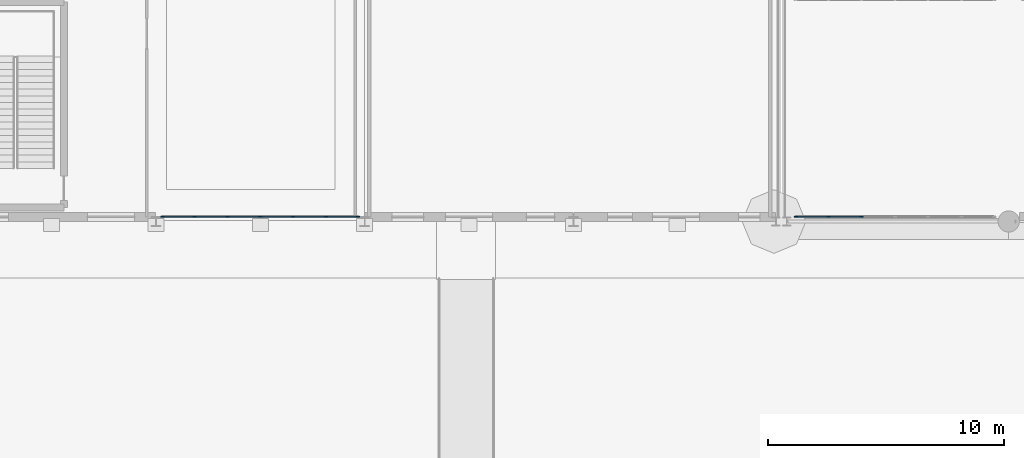
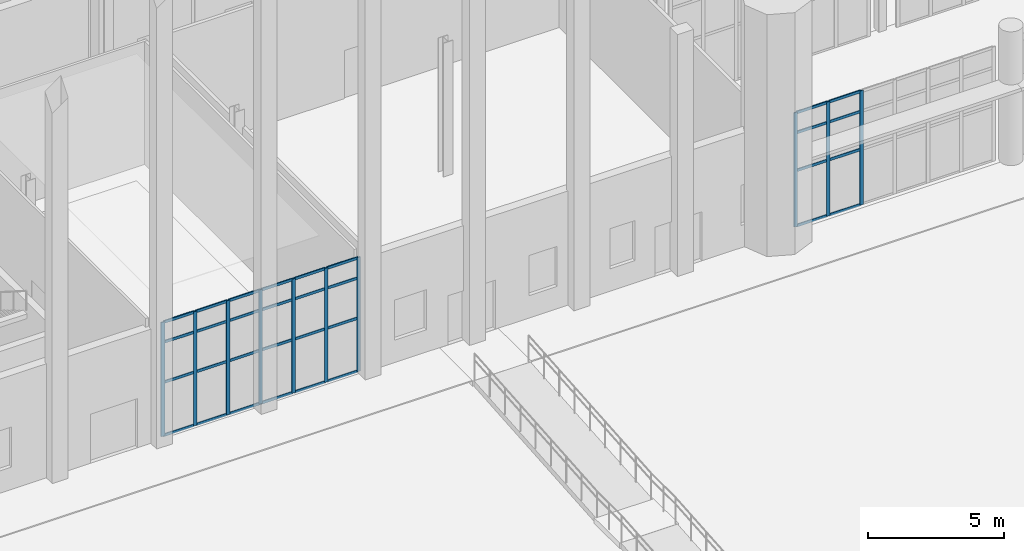
# One storey, part 25 of 139: 42 members, 2 elements without a shape of their own.
"""IFC4 building model written with IfcOpenShell, lengths in metres."""

import ifcopenshell
import ifcopenshell.guid

model = None  # the IFC model being written
_history = None  # IfcOwnerHistory: only IFC2X3 demands one
_inside = {}  # id of a spatial element -> (the spatial element, [elements in it])
_under = {}  # id of a project, library or spatial element -> (it, [spatial elements below it])
_declared = {}  # id of a project -> (the project, [libraries it declares])
_typed = {}  # id of a type object -> (the type object, [elements of that type])
_made_of = {}  # id of a material, layer set ... -> (it, [elements and type objects made of it])


def new_model(schema):
    """Start an empty IFC model of exactly this schema.

    Asked for "IFC4X3", IfcOpenShell would pick the latest addendum, in which some entities
    have other attributes; the version numbers below select the first issue.
    IFC2X3 requires an IfcOwnerHistory on every rooted entity: one is made here for all.
    """
    global model, _history
    if schema == "IFC4X3":
        model = ifcopenshell.file(schema_version=(4, 3, 0, 0))
    else:
        model = ifcopenshell.file(schema=schema)
    _inside.clear()
    _under.clear()
    _declared.clear()
    _typed.clear()
    _made_of.clear()
    _history = None
    if model.schema == "IFC2X3":
        org = make("IfcOrganization", Name="unknown")
        user = make(
            "IfcPersonAndOrganization",
            ThePerson=make("IfcPerson", FamilyName="unknown"),
            TheOrganization=org,
        )
        app = make(
            "IfcApplication",
            ApplicationDeveloper=org,
            Version="unknown",
            ApplicationFullName="unknown",
            ApplicationIdentifier="unknown",
        )
        _history = make(
            "IfcOwnerHistory",
            OwningUser=user,
            OwningApplication=app,
            ChangeAction="ADDED",
            CreationDate=0,
        )
    return model


def make(cls, **values):
    """One entity of the class cls with the attributes given. An attribute that is None is left unset."""
    return model.create_entity(
        cls, **{name: value for name, value in values.items() if value is not None}
    )


def rooted(cls, **values):
    """An entity with a GlobalId (a new one), such as an element, a storey or a relation."""
    return make(cls, GlobalId=ifcopenshell.guid.new(), OwnerHistory=_history, **values)


def si_unit(unit_type, name, prefix=None):
    """IfcSIUnit, for example si_unit("LENGTHUNIT", "METRE", prefix="MILLI")."""
    return make("IfcSIUnit", UnitType=unit_type, Prefix=prefix, Name=name)


def assignment(units):
    """IfcUnitAssignment: the units of a project."""
    return None if units is None else make("IfcUnitAssignment", Units=units)


def point(xyz):
    """IfcCartesianPoint."""
    return None if xyz is None else make("IfcCartesianPoint", Coordinates=xyz)


def direction(xyz):
    """IfcDirection."""
    return None if xyz is None else make("IfcDirection", DirectionRatios=xyz)


def frame(location, z_axis=None, x_axis=None):
    """IfcAxis2Placement3D, a coordinate frame: its origin and axes. An axis left out is left unset."""
    return make(
        "IfcAxis2Placement3D",
        Location=point(location),
        Axis=direction(z_axis),
        RefDirection=direction(x_axis),
    )


def frame_2d(location, x_axis=None):
    """IfcAxis2Placement2D, a coordinate frame in the plane: its origin and x axis."""
    return make(
        "IfcAxis2Placement2D", Location=point(location), RefDirection=direction(x_axis)
    )


def origin():
    """The frame at (0, 0, 0) with its axes left unset."""
    return frame((0.0, 0.0, 0.0))


def origin_2d():
    """The frame at (0, 0) in the plane with its x axis left unset."""
    return frame_2d((0.0, 0.0))


def place(relative_to, where):
    """IfcLocalPlacement: puts the frame where relative to a parent placement (None: the world)."""
    return make(
        "IfcLocalPlacement", PlacementRelTo=relative_to, RelativePlacement=where
    )


def context(
    kind, dimensions, precision=None, world=None, true_north=None, identifier=None
):
    """IfcGeometricRepresentationContext, for example the 3D "Model" context."""
    return make(
        "IfcGeometricRepresentationContext",
        ContextIdentifier=identifier,
        ContextType=kind,
        CoordinateSpaceDimension=dimensions,
        Precision=precision,
        WorldCoordinateSystem=world,
        TrueNorth=true_north,
    )


def subcontext(parent, identifier, kind, view, scale=None):
    """IfcGeometricRepresentationSubContext, for example "Body" below "Model"."""
    return make(
        "IfcGeometricRepresentationSubContext",
        ContextIdentifier=identifier,
        ContextType=kind,
        ParentContext=parent,
        TargetScale=scale,
        TargetView=view,
    )


def project(units=None, contexts=None):
    """IfcProject with its units and contexts."""
    return rooted(
        "IfcProject",
        Name="project",
        RepresentationContexts=contexts,
        UnitsInContext=assignment(units),
    )


def spatial(cls, under=None, at=None, **own):
    """A site, building, storey or space (cls), placed at a placement, below another one or the project."""
    s = rooted(cls, ObjectPlacement=at, **own)
    if under is not None:
        _under.setdefault(under.id(), (under, []))[1].append(s)
    return s


def profile(cls, at=None, kind="AREA", **sizes):
    """A parametric profile (cls). Its sizes go by their IFC names, for example OverallWidth=200.0."""
    return make(cls, ProfileType=kind, Position=at, **sizes)


def rectangle(**sizes):
    """IfcRectangleProfileDef."""
    return profile("IfcRectangleProfileDef", **sizes)


def extrude(swept, where, along, depth):
    """IfcExtrudedAreaSolid: the profile swept, set in the frame where, extruded along a direction by depth."""
    return make(
        "IfcExtrudedAreaSolid",
        SweptArea=swept,
        Position=where,
        ExtrudedDirection=direction(along),
        Depth=depth,
    )


def shape(context_of_items, identifier, shape_type, items):
    """IfcShapeRepresentation: the items that make up one representation, for example the "Body"."""
    return make(
        "IfcShapeRepresentation",
        ContextOfItems=context_of_items,
        RepresentationIdentifier=identifier,
        RepresentationType=shape_type,
        Items=items,
    )


def material(Name=None, Category=None):
    """IfcMaterial."""
    return make("IfcMaterial", Name=Name, Category=Category)


def layer(
    of_material, thickness, ventilated=None, Name=None, Category=None, Priority=None
):
    """IfcMaterialLayer: one layer of a wall or slab, of a material (None: an air gap)."""
    return make(
        "IfcMaterialLayer",
        Material=of_material,
        LayerThickness=thickness,
        IsVentilated=ventilated,
        Name=Name,
        Category=Category,
        Priority=Priority,
    )


def layer_set(layers, Name=None):
    """IfcMaterialLayerSet."""
    return make("IfcMaterialLayerSet", MaterialLayers=layers, LayerSetName=Name)


def material_profile(
    of_material, cross_section, Name=None, Category=None, Priority=None
):
    """IfcMaterialProfile: a cross section and its material."""
    return make(
        "IfcMaterialProfile",
        Name=Name,
        Material=of_material,
        Profile=cross_section,
        Priority=Priority,
        Category=Category,
    )


def profile_set(profiles, Name=None, composite=None):
    """IfcMaterialProfileSet."""
    return make(
        "IfcMaterialProfileSet",
        Name=Name,
        MaterialProfiles=profiles,
        CompositeProfile=composite,
    )


def made_of(thing, what):
    """Note that an element or type object is made of a material, layer set ...; save() writes the relation."""
    if what is not None:
        _made_of.setdefault(what.id(), (what, []))[1].append(thing)
    return thing


def type_object(cls, material=None, **own):
    """A type object (cls), such as IfcWallType, which elements share."""
    return made_of(rooted(cls, **own), material)


def element(
    cls,
    number,
    at=None,
    inside=None,
    cuts=None,
    type_object=None,
    material=None,
    context=None,
    identifier="Body",
    shape_type=None,
    held_by="IfcProductDefinitionShape",
    body=None,
    shapes=None,
    **own,
):
    """One element of the class cls, such as IfcWall. Its Tag is "e" and its number.

    at: its placement. inside: the storey or other place that contains it. cuts: it is an
    opening in that element (IfcRelVoidsElement). A single representation is given by context,
    identifier, shape_type and body (its items); several are given by shapes. held_by: the class
    of the entity that holds the representations. save() writes the other relations.
    """
    e = rooted(cls, Tag="e%d" % number, ObjectPlacement=at, **own)
    if body is not None:
        shapes = [shape(context, identifier, shape_type, body)]
    if shapes is not None:
        e.Representation = make(held_by, Representations=shapes)
    if inside is not None:
        _inside.setdefault(inside.id(), (inside, []))[1].append(e)
    if cuts is not None:
        rooted(
            "IfcRelVoidsElement", RelatingBuildingElement=cuts, RelatedOpeningElement=e
        )
    if type_object is not None:
        _typed.setdefault(type_object.id(), (type_object, []))[1].append(e)
    return made_of(e, material)


def aggregate(whole, parts):
    """IfcRelAggregates: a whole, such as a stair, and the parts it consists of."""
    return rooted("IfcRelAggregates", RelatingObject=whole, RelatedObjects=parts)


def save(model, path):
    """Write the relations noted so far, then the file.

    IfcRelAggregates (storeys below a building ...), IfcRelContainedInSpatialStructure (elements
    in a storey), IfcRelDefinesByType, IfcRelAssociatesMaterial and IfcRelDeclares: one each for
    every whole, place, type object, material and project.
    """
    for whole, parts in _under.values():
        aggregate(whole, parts)
    for where, things in _inside.values():
        rooted(
            "IfcRelContainedInSpatialStructure",
            RelatedElements=things,
            RelatingStructure=where,
        )
    for kind, things in _typed.values():
        rooted("IfcRelDefinesByType", RelatedObjects=things, RelatingType=kind)
    for what, things in _made_of.values():
        rooted("IfcRelAssociatesMaterial", RelatedObjects=things, RelatingMaterial=what)
    for by, libraries in _declared.values():
        rooted("IfcRelDeclares", RelatingContext=by, RelatedDefinitions=libraries)
    model.write(path)


model = new_model("IFC4")

# Units and contexts
model_context = context("Model", 3, precision=1e-05, world=origin(), true_north=direction((0.0, 1.0)))
body_context = subcontext(model_context, "Body", "Model", "MODEL_VIEW")
ifc_project = project(units=[si_unit("LENGTHUNIT", "METRE"), si_unit("AREAUNIT", "SQUARE_METRE"), si_unit("VOLUMEUNIT", "CUBIC_METRE"), si_unit("PLANEANGLEUNIT", "RADIAN"), si_unit("MASSUNIT", "GRAM", prefix="KILO")], contexts=[model_context])

# Site, building, storey
site_placement = place(None, origin())
site = spatial("IfcSite", under=ifc_project, at=site_placement, CompositionType="ELEMENT")
building_placement = place(site_placement, origin())
building = spatial("IfcBuilding", under=site, at=building_placement, Name="Yeouljin Market Hall", CompositionType="ELEMENT")
storey_placement = place(building_placement, origin())
storey = spatial("IfcBuildingStorey", under=building, at=storey_placement, Name="L00", CompositionType="ELEMENT", Elevation=0.0)

# Curtain wall, members
ifc_material_1 = material(Name="Thermally Broken Aluminium", Category="aluminium")
ifc_layer_1 = layer(ifc_material_1, 0.14990234375)
ifc_layer_set_1 = layer_set([ifc_layer_1], Name="Thermally Broken Aluminium")
curtain_wall_type_1 = type_object("IfcCurtainWallType", Name="CW_WingStorefront_System", PredefinedType="USERDEFINED", material=ifc_layer_set_1)
curtain_wall_1_placement = place(storey_placement, origin())
curtain_wall_1 = element("IfcCurtainWall", 1, at=curtain_wall_1_placement, inside=storey, type_object=curtain_wall_type_1, Name="Curtain wall CW-V2S-L00-3", ObjectType="CURTAIN WALL", PredefinedType="USERDEFINED")
ifc_material_2 = material(Name="Thermally Broken Aluminium", Category="aluminium")
ifc_material_profile_1 = material_profile(ifc_material_2, rectangle(XDim=0.048095703125, YDim=0.14990234375, at=origin_2d()), Name="CW-MULL-48x150")
ifc_profile_set_1 = profile_set([ifc_material_profile_1], Name="Thermally Broken Aluminium")
member_type_1 = type_object("IfcMemberType", Name="CWMullion_48x150", PredefinedType="MULLION", material=ifc_profile_set_1)
member_1_placement = place(storey_placement, frame((17.426025390625, 0.199951171875, 0.0), z_axis=(0.0, 0.0, 1.0), x_axis=(0.0, -1.0, 0.0)))
member_1 = element("IfcMember", 2, at=member_1_placement, type_object=member_type_1, Name="CW-04 mullion 1", PredefinedType="MULLION", context=body_context, shape_type="SweptSolid", body=[
    extrude(rectangle(XDim=0.048095703125, YDim=0.14990234375, at=origin_2d()), origin(), (0.0, 0.0, 1.0), 5.1201171875),
])
member_2_placement = place(storey_placement, frame((16.058349609375, 0.199951171875, 0.0), z_axis=(0.0, 0.0, 1.0), x_axis=(0.0, -1.0, 0.0)))
member_2 = element("IfcMember", 3, at=member_2_placement, type_object=member_type_1, Name="CW-04 mullion 2", PredefinedType="MULLION", context=body_context, shape_type="SweptSolid", body=[
    extrude(rectangle(XDim=0.048095703125, YDim=0.14990234375, at=origin_2d()), origin(), (0.0, 0.0, 1.0), 5.1201171875),
])
member_3_placement = place(storey_placement, frame((14.666748046875, 0.199951171875, 0.0), z_axis=(0.0, 0.0, 1.0), x_axis=(0.0, -1.0, 0.0)))
member_3 = element("IfcMember", 4, at=member_3_placement, type_object=member_type_1, Name="CW-04 mullion 3", PredefinedType="MULLION", context=body_context, shape_type="SweptSolid", body=[
    extrude(rectangle(XDim=0.048095703125, YDim=0.14990234375, at=origin_2d()), origin(), (0.0, 0.0, 1.0), 5.1201171875),
])
member_4_placement = place(storey_placement, frame((13.27490234375, 0.199951171875, 0.0), z_axis=(0.0, 0.0, 1.0), x_axis=(0.0, -1.0, 0.0)))
member_4 = element("IfcMember", 5, at=member_4_placement, type_object=member_type_1, Name="CW-04 mullion 4", PredefinedType="MULLION", context=body_context, shape_type="SweptSolid", body=[
    extrude(rectangle(XDim=0.048095703125, YDim=0.14990234375, at=origin_2d()), origin(), (0.0, 0.0, 1.0), 5.1201171875),
])
member_5_placement = place(storey_placement, frame((11.88330078125, 0.199951171875, 0.0), z_axis=(0.0, 0.0, 1.0), x_axis=(0.0, -1.0, 0.0)))
member_5 = element("IfcMember", 6, at=member_5_placement, type_object=member_type_1, Name="CW-04 mullion 5", PredefinedType="MULLION", context=body_context, shape_type="SweptSolid", body=[
    extrude(rectangle(XDim=0.048095703125, YDim=0.14990234375, at=origin_2d()), origin(), (0.0, 0.0, 1.0), 5.1201171875),
])
member_6_placement = place(storey_placement, frame((10.49169921875, 0.199951171875, 0.0), z_axis=(0.0, 0.0, 1.0), x_axis=(0.0, -1.0, 0.0)))
member_6 = element("IfcMember", 7, at=member_6_placement, type_object=member_type_1, Name="CW-04 mullion 6", PredefinedType="MULLION", context=body_context, shape_type="SweptSolid", body=[
    extrude(rectangle(XDim=0.048095703125, YDim=0.14990234375, at=origin_2d()), origin(), (0.0, 0.0, 1.0), 5.1201171875),
])
member_7_placement = place(storey_placement, frame((9.1240234375, 0.199951171875, 0.0), z_axis=(0.0, 0.0, 1.0), x_axis=(0.0, -1.0, 0.0)))
member_7 = element("IfcMember", 8, at=member_7_placement, type_object=member_type_1, Name="CW-04 mullion 7", PredefinedType="MULLION", context=body_context, shape_type="SweptSolid", body=[
    extrude(rectangle(XDim=0.048095703125, YDim=0.14990234375, at=origin_2d()), origin(), (0.0, 0.0, 1.0), 5.1201171875),
])

ifc_material_3 = material(Name="Thermally Broken Aluminium", Category="aluminium")
ifc_layer_2 = layer(ifc_material_3, 0.14990234375)
ifc_layer_set_2 = layer_set([ifc_layer_2], Name="Thermally Broken Aluminium")
curtain_wall_type_2 = type_object("IfcCurtainWallType", Name="CW_ColonnadeScreen_System", PredefinedType="USERDEFINED", material=ifc_layer_set_2)
curtain_wall_2_placement = place(storey_placement, origin())
curtain_wall_2 = element("IfcCurtainWall", 9, at=curtain_wall_2_placement, inside=storey, type_object=curtain_wall_type_2, Name="Curtain wall CW-V5S-L00-1", ObjectType="CURTAIN WALL", PredefinedType="USERDEFINED")
member_8_placement = place(storey_placement, frame((38.7666015625, 0.199951171875, 0.0), z_axis=(0.0, 0.0, 1.0), x_axis=(0.0, -1.0, 0.0)))
member_8 = element("IfcMember", 10, at=member_8_placement, type_object=member_type_1, Name="CW-06 mullion 5", PredefinedType="MULLION", context=body_context, shape_type="SweptSolid", body=[
    extrude(rectangle(XDim=0.048095703125, YDim=0.14990234375, at=origin_2d()), origin(), (0.0, 0.0, 1.0), 5.1201171875),
])
member_9_placement = place(storey_placement, frame((37.3583984375, 0.199951171875, 0.0), z_axis=(0.0, 0.0, 1.0), x_axis=(0.0, -1.0, 0.0)))
member_9 = element("IfcMember", 11, at=member_9_placement, type_object=member_type_1, Name="CW-06 mullion 6", PredefinedType="MULLION", context=body_context, shape_type="SweptSolid", body=[
    extrude(rectangle(XDim=0.048095703125, YDim=0.14990234375, at=origin_2d()), origin(), (0.0, 0.0, 1.0), 5.1201171875),
])
member_10_placement = place(storey_placement, frame((35.97412109375, 0.199951171875, 0.0), z_axis=(0.0, 0.0, 1.0), x_axis=(0.0, -1.0, 0.0)))
member_10 = element("IfcMember", 12, at=member_10_placement, type_object=member_type_1, Name="CW-06 mullion 7", PredefinedType="MULLION", context=body_context, shape_type="SweptSolid", body=[
    extrude(rectangle(XDim=0.048095703125, YDim=0.14990234375, at=origin_2d()), origin(), (0.0, 0.0, 1.0), 5.1201171875),
])

# Member
ifc_material_4 = material(Name="Thermally Broken Aluminium", Category="aluminium")
ifc_material_profile_2 = material_profile(ifc_material_4, rectangle(XDim=0.048095703125, YDim=0.1201171875, at=origin_2d()), Name="CW-TRAN-48x120")
ifc_profile_set_2 = profile_set([ifc_material_profile_2], Name="Thermally Broken Aluminium")
member_type_2 = type_object("IfcMemberType", Name="CWTransom_48x120", PredefinedType="USERDEFINED", material=ifc_profile_set_2)
member_11_placement = place(storey_placement, frame((17.402099609375, 0.199951171875, 0.02392578125), z_axis=(-1.0, 0.0, 0.0), x_axis=(0.0, -1.0, 0.0)))
member_11 = element("IfcMember", 13, at=member_11_placement, type_object=member_type_2, Name="CW-04 transom 1.1", ObjectType="TRANSOM", PredefinedType="USERDEFINED", context=body_context, shape_type="SweptSolid", body=[
    extrude(rectangle(XDim=0.048095703125, YDim=0.1201171875, at=origin_2d()), origin(), (0.0, 0.0, 1.0), 1.31982421875),
])

member_12_placement = place(storey_placement, frame((17.402099609375, 0.199951171875, 2.39990234375), z_axis=(-1.0, 0.0, 0.0), x_axis=(0.0, -1.0, 0.0)))
member_12 = element("IfcMember", 14, at=member_12_placement, type_object=member_type_2, Name="CW-04 transom 1.2", ObjectType="TRANSOM", PredefinedType="USERDEFINED", context=body_context, shape_type="SweptSolid", body=[
    extrude(rectangle(XDim=0.048095703125, YDim=0.1201171875, at=origin_2d()), origin(), (0.0, 0.0, 1.0), 1.31982421875),
])

member_13_placement = place(storey_placement, frame((17.402099609375, 0.199951171875, 4.199951171875), z_axis=(-1.0, 0.0, 0.0), x_axis=(0.0, -1.0, 0.0)))
member_13 = element("IfcMember", 15, at=member_13_placement, type_object=member_type_2, Name="CW-04 transom 1.3", ObjectType="TRANSOM", PredefinedType="USERDEFINED", context=body_context, shape_type="SweptSolid", body=[
    extrude(rectangle(XDim=0.048095703125, YDim=0.1201171875, at=origin_2d()), origin(), (0.0, 0.0, 1.0), 1.31982421875),
])

member_14_placement = place(storey_placement, frame((17.402099609375, 0.199951171875, 5.095947265625), z_axis=(-1.0, 0.0, 0.0), x_axis=(0.0, -1.0, 0.0)))
member_14 = element("IfcMember", 16, at=member_14_placement, type_object=member_type_2, Name="CW-04 transom 1.4", ObjectType="TRANSOM", PredefinedType="USERDEFINED", context=body_context, shape_type="SweptSolid", body=[
    extrude(rectangle(XDim=0.048095703125, YDim=0.1201171875, at=origin_2d()), origin(), (0.0, 0.0, 1.0), 1.31982421875),
])

member_15_placement = place(storey_placement, frame((16.034423828125, 0.199951171875, 0.02392578125), z_axis=(-1.0, 0.0, 0.0), x_axis=(0.0, -1.0, 0.0)))
member_15 = element("IfcMember", 17, at=member_15_placement, type_object=member_type_2, Name="CW-04 transom 2.1", ObjectType="TRANSOM", PredefinedType="USERDEFINED", context=body_context, shape_type="SweptSolid", body=[
    extrude(rectangle(XDim=0.048095703125, YDim=0.1201171875, at=origin_2d()), origin(), (0.0, 0.0, 1.0), 1.34375),
])

member_16_placement = place(storey_placement, frame((16.034423828125, 0.199951171875, 2.39990234375), z_axis=(-1.0, 0.0, 0.0), x_axis=(0.0, -1.0, 0.0)))
member_16 = element("IfcMember", 18, at=member_16_placement, type_object=member_type_2, Name="CW-04 transom 2.2", ObjectType="TRANSOM", PredefinedType="USERDEFINED", context=body_context, shape_type="SweptSolid", body=[
    extrude(rectangle(XDim=0.048095703125, YDim=0.1201171875, at=origin_2d()), origin(), (0.0, 0.0, 1.0), 1.34375),
])

member_17_placement = place(storey_placement, frame((16.034423828125, 0.199951171875, 4.199951171875), z_axis=(-1.0, 0.0, 0.0), x_axis=(0.0, -1.0, 0.0)))
member_17 = element("IfcMember", 19, at=member_17_placement, type_object=member_type_2, Name="CW-04 transom 2.3", ObjectType="TRANSOM", PredefinedType="USERDEFINED", context=body_context, shape_type="SweptSolid", body=[
    extrude(rectangle(XDim=0.048095703125, YDim=0.1201171875, at=origin_2d()), origin(), (0.0, 0.0, 1.0), 1.34375),
])

member_18_placement = place(storey_placement, frame((16.034423828125, 0.199951171875, 5.095947265625), z_axis=(-1.0, 0.0, 0.0), x_axis=(0.0, -1.0, 0.0)))
member_18 = element("IfcMember", 20, at=member_18_placement, type_object=member_type_2, Name="CW-04 transom 2.4", ObjectType="TRANSOM", PredefinedType="USERDEFINED", context=body_context, shape_type="SweptSolid", body=[
    extrude(rectangle(XDim=0.048095703125, YDim=0.1201171875, at=origin_2d()), origin(), (0.0, 0.0, 1.0), 1.34375),
])

member_19_placement = place(storey_placement, frame((14.642578125, 0.199951171875, 0.02392578125), z_axis=(-1.0, 0.0, 0.0), x_axis=(0.0, -1.0, 0.0)))
member_19 = element("IfcMember", 21, at=member_19_placement, type_object=member_type_2, Name="CW-04 transom 3.1", ObjectType="TRANSOM", PredefinedType="USERDEFINED", context=body_context, shape_type="SweptSolid", body=[
    extrude(rectangle(XDim=0.048095703125, YDim=0.1201171875, at=origin_2d()), origin(), (0.0, 0.0, 1.0), 1.343505859375),
])

member_20_placement = place(storey_placement, frame((14.642578125, 0.199951171875, 2.39990234375), z_axis=(-1.0, 0.0, 0.0), x_axis=(0.0, -1.0, 0.0)))
member_20 = element("IfcMember", 22, at=member_20_placement, type_object=member_type_2, Name="CW-04 transom 3.2", ObjectType="TRANSOM", PredefinedType="USERDEFINED", context=body_context, shape_type="SweptSolid", body=[
    extrude(rectangle(XDim=0.048095703125, YDim=0.1201171875, at=origin_2d()), origin(), (0.0, 0.0, 1.0), 1.343505859375),
])

member_21_placement = place(storey_placement, frame((14.642578125, 0.199951171875, 4.199951171875), z_axis=(-1.0, 0.0, 0.0), x_axis=(0.0, -1.0, 0.0)))
member_21 = element("IfcMember", 23, at=member_21_placement, type_object=member_type_2, Name="CW-04 transom 3.3", ObjectType="TRANSOM", PredefinedType="USERDEFINED", context=body_context, shape_type="SweptSolid", body=[
    extrude(rectangle(XDim=0.048095703125, YDim=0.1201171875, at=origin_2d()), origin(), (0.0, 0.0, 1.0), 1.343505859375),
])

member_22_placement = place(storey_placement, frame((14.642578125, 0.199951171875, 5.095947265625), z_axis=(-1.0, 0.0, 0.0), x_axis=(0.0, -1.0, 0.0)))
member_22 = element("IfcMember", 24, at=member_22_placement, type_object=member_type_2, Name="CW-04 transom 3.4", ObjectType="TRANSOM", PredefinedType="USERDEFINED", context=body_context, shape_type="SweptSolid", body=[
    extrude(rectangle(XDim=0.048095703125, YDim=0.1201171875, at=origin_2d()), origin(), (0.0, 0.0, 1.0), 1.343505859375),
])

member_23_placement = place(storey_placement, frame((13.2509765625, 0.199951171875, 0.02392578125), z_axis=(-1.0, 0.0, 0.0), x_axis=(0.0, -1.0, 0.0)))
member_23 = element("IfcMember", 25, at=member_23_placement, type_object=member_type_2, Name="CW-04 transom 4.1", ObjectType="TRANSOM", PredefinedType="USERDEFINED", context=body_context, shape_type="SweptSolid", body=[
    extrude(rectangle(XDim=0.048095703125, YDim=0.1201171875, at=origin_2d()), origin(), (0.0, 0.0, 1.0), 1.34375),
])

member_24_placement = place(storey_placement, frame((13.2509765625, 0.199951171875, 2.39990234375), z_axis=(-1.0, 0.0, 0.0), x_axis=(0.0, -1.0, 0.0)))
member_24 = element("IfcMember", 26, at=member_24_placement, type_object=member_type_2, Name="CW-04 transom 4.2", ObjectType="TRANSOM", PredefinedType="USERDEFINED", context=body_context, shape_type="SweptSolid", body=[
    extrude(rectangle(XDim=0.048095703125, YDim=0.1201171875, at=origin_2d()), origin(), (0.0, 0.0, 1.0), 1.34375),
])

member_25_placement = place(storey_placement, frame((13.2509765625, 0.199951171875, 4.199951171875), z_axis=(-1.0, 0.0, 0.0), x_axis=(0.0, -1.0, 0.0)))
member_25 = element("IfcMember", 27, at=member_25_placement, type_object=member_type_2, Name="CW-04 transom 4.3", ObjectType="TRANSOM", PredefinedType="USERDEFINED", context=body_context, shape_type="SweptSolid", body=[
    extrude(rectangle(XDim=0.048095703125, YDim=0.1201171875, at=origin_2d()), origin(), (0.0, 0.0, 1.0), 1.34375),
])

member_26_placement = place(storey_placement, frame((13.2509765625, 0.199951171875, 5.095947265625), z_axis=(-1.0, 0.0, 0.0), x_axis=(0.0, -1.0, 0.0)))
member_26 = element("IfcMember", 28, at=member_26_placement, type_object=member_type_2, Name="CW-04 transom 4.4", ObjectType="TRANSOM", PredefinedType="USERDEFINED", context=body_context, shape_type="SweptSolid", body=[
    extrude(rectangle(XDim=0.048095703125, YDim=0.1201171875, at=origin_2d()), origin(), (0.0, 0.0, 1.0), 1.34375),
])

member_27_placement = place(storey_placement, frame((11.859375, 0.199951171875, 0.02392578125), z_axis=(-1.0, 0.0, 0.0), x_axis=(0.0, -1.0, 0.0)))
member_27 = element("IfcMember", 29, at=member_27_placement, type_object=member_type_2, Name="CW-04 transom 5.1", ObjectType="TRANSOM", PredefinedType="USERDEFINED", context=body_context, shape_type="SweptSolid", body=[
    extrude(rectangle(XDim=0.048095703125, YDim=0.1201171875, at=origin_2d()), origin(), (0.0, 0.0, 1.0), 1.34375),
])

member_28_placement = place(storey_placement, frame((11.859375, 0.199951171875, 2.39990234375), z_axis=(-1.0, 0.0, 0.0), x_axis=(0.0, -1.0, 0.0)))
member_28 = element("IfcMember", 30, at=member_28_placement, type_object=member_type_2, Name="CW-04 transom 5.2", ObjectType="TRANSOM", PredefinedType="USERDEFINED", context=body_context, shape_type="SweptSolid", body=[
    extrude(rectangle(XDim=0.048095703125, YDim=0.1201171875, at=origin_2d()), origin(), (0.0, 0.0, 1.0), 1.34375),
])

member_29_placement = place(storey_placement, frame((11.859375, 0.199951171875, 4.199951171875), z_axis=(-1.0, 0.0, 0.0), x_axis=(0.0, -1.0, 0.0)))
member_29 = element("IfcMember", 31, at=member_29_placement, type_object=member_type_2, Name="CW-04 transom 5.3", ObjectType="TRANSOM", PredefinedType="USERDEFINED", context=body_context, shape_type="SweptSolid", body=[
    extrude(rectangle(XDim=0.048095703125, YDim=0.1201171875, at=origin_2d()), origin(), (0.0, 0.0, 1.0), 1.34375),
])

member_30_placement = place(storey_placement, frame((11.859375, 0.199951171875, 5.095947265625), z_axis=(-1.0, 0.0, 0.0), x_axis=(0.0, -1.0, 0.0)))
member_30 = element("IfcMember", 32, at=member_30_placement, type_object=member_type_2, Name="CW-04 transom 5.4", ObjectType="TRANSOM", PredefinedType="USERDEFINED", context=body_context, shape_type="SweptSolid", body=[
    extrude(rectangle(XDim=0.048095703125, YDim=0.1201171875, at=origin_2d()), origin(), (0.0, 0.0, 1.0), 1.34375),
])

member_31_placement = place(storey_placement, frame((10.4677734375, 0.199951171875, 0.02392578125), z_axis=(-1.0, 0.0, 0.0), x_axis=(0.0, -1.0, 0.0)))
member_31 = element("IfcMember", 33, at=member_31_placement, type_object=member_type_2, Name="CW-04 transom 6.1", ObjectType="TRANSOM", PredefinedType="USERDEFINED", context=body_context, shape_type="SweptSolid", body=[
    extrude(rectangle(XDim=0.048095703125, YDim=0.1201171875, at=origin_2d()), origin(), (0.0, 0.0, 1.0), 1.31982421875),
])

member_32_placement = place(storey_placement, frame((10.4677734375, 0.199951171875, 2.39990234375), z_axis=(-1.0, 0.0, 0.0), x_axis=(0.0, -1.0, 0.0)))
member_32 = element("IfcMember", 34, at=member_32_placement, type_object=member_type_2, Name="CW-04 transom 6.2", ObjectType="TRANSOM", PredefinedType="USERDEFINED", context=body_context, shape_type="SweptSolid", body=[
    extrude(rectangle(XDim=0.048095703125, YDim=0.1201171875, at=origin_2d()), origin(), (0.0, 0.0, 1.0), 1.31982421875),
])

member_33_placement = place(storey_placement, frame((10.4677734375, 0.199951171875, 4.199951171875), z_axis=(-1.0, 0.0, 0.0), x_axis=(0.0, -1.0, 0.0)))
member_33 = element("IfcMember", 35, at=member_33_placement, type_object=member_type_2, Name="CW-04 transom 6.3", ObjectType="TRANSOM", PredefinedType="USERDEFINED", context=body_context, shape_type="SweptSolid", body=[
    extrude(rectangle(XDim=0.048095703125, YDim=0.1201171875, at=origin_2d()), origin(), (0.0, 0.0, 1.0), 1.31982421875),
])

member_34_placement = place(storey_placement, frame((10.4677734375, 0.199951171875, 5.095947265625), z_axis=(-1.0, 0.0, 0.0), x_axis=(0.0, -1.0, 0.0)))
member_34 = element("IfcMember", 36, at=member_34_placement, type_object=member_type_2, Name="CW-04 transom 6.4", ObjectType="TRANSOM", PredefinedType="USERDEFINED", context=body_context, shape_type="SweptSolid", body=[
    extrude(rectangle(XDim=0.048095703125, YDim=0.1201171875, at=origin_2d()), origin(), (0.0, 0.0, 1.0), 1.31982421875),
])

aggregate(curtain_wall_1, [member_1, member_2, member_3, member_4, member_5, member_6, member_7, member_11, member_12, member_13, member_14, member_15, member_16, member_17, member_18, member_19, member_20, member_21, member_22, member_23, member_24, member_25, member_26, member_27, member_28, member_29, member_30, member_31, member_32, member_33, member_34])

member_35_placement = place(storey_placement, frame((38.74267578125, 0.199951171875, 0.02392578125), z_axis=(-1.0, 0.0, 0.0), x_axis=(0.0, -1.0, 0.0)))
member_35 = element("IfcMember", 37, at=member_35_placement, type_object=member_type_2, Name="CW-06 transom 5.1", ObjectType="TRANSOM", PredefinedType="USERDEFINED", context=body_context, shape_type="SweptSolid", body=[
    extrude(rectangle(XDim=0.048095703125, YDim=0.1201171875, at=origin_2d()), origin(), (0.0, 0.0, 1.0), 1.3603515625),
])

member_36_placement = place(storey_placement, frame((38.74267578125, 0.199951171875, 2.5), z_axis=(-1.0, 0.0, 0.0), x_axis=(0.0, -1.0, 0.0)))
member_36 = element("IfcMember", 38, at=member_36_placement, type_object=member_type_2, Name="CW-06 transom 5.2", ObjectType="TRANSOM", PredefinedType="USERDEFINED", context=body_context, shape_type="SweptSolid", body=[
    extrude(rectangle(XDim=0.048095703125, YDim=0.1201171875, at=origin_2d()), origin(), (0.0, 0.0, 1.0), 1.3603515625),
])

member_37_placement = place(storey_placement, frame((38.74267578125, 0.199951171875, 4.199951171875), z_axis=(-1.0, 0.0, 0.0), x_axis=(0.0, -1.0, 0.0)))
member_37 = element("IfcMember", 39, at=member_37_placement, type_object=member_type_2, Name="CW-06 transom 5.3", ObjectType="TRANSOM", PredefinedType="USERDEFINED", context=body_context, shape_type="SweptSolid", body=[
    extrude(rectangle(XDim=0.048095703125, YDim=0.1201171875, at=origin_2d()), origin(), (0.0, 0.0, 1.0), 1.3603515625),
])

member_38_placement = place(storey_placement, frame((38.74267578125, 0.199951171875, 5.095947265625), z_axis=(-1.0, 0.0, 0.0), x_axis=(0.0, -1.0, 0.0)))
member_38 = element("IfcMember", 40, at=member_38_placement, type_object=member_type_2, Name="CW-06 transom 5.4", ObjectType="TRANSOM", PredefinedType="USERDEFINED", context=body_context, shape_type="SweptSolid", body=[
    extrude(rectangle(XDim=0.048095703125, YDim=0.1201171875, at=origin_2d()), origin(), (0.0, 0.0, 1.0), 1.3603515625),
])

member_39_placement = place(storey_placement, frame((37.334228515625, 0.199951171875, 0.02392578125), z_axis=(-1.0, 0.0, 0.0), x_axis=(0.0, -1.0, 0.0)))
member_39 = element("IfcMember", 41, at=member_39_placement, type_object=member_type_2, Name="CW-06 transom 6.1", ObjectType="TRANSOM", PredefinedType="USERDEFINED", context=body_context, shape_type="SweptSolid", body=[
    extrude(rectangle(XDim=0.048095703125, YDim=0.1201171875, at=origin_2d()), origin(), (0.0, 0.0, 1.0), 1.336181640625),
])

member_40_placement = place(storey_placement, frame((37.334228515625, 0.199951171875, 2.5), z_axis=(-1.0, 0.0, 0.0), x_axis=(0.0, -1.0, 0.0)))
member_40 = element("IfcMember", 42, at=member_40_placement, type_object=member_type_2, Name="CW-06 transom 6.2", ObjectType="TRANSOM", PredefinedType="USERDEFINED", context=body_context, shape_type="SweptSolid", body=[
    extrude(rectangle(XDim=0.048095703125, YDim=0.1201171875, at=origin_2d()), origin(), (0.0, 0.0, 1.0), 1.336181640625),
])

member_41_placement = place(storey_placement, frame((37.334228515625, 0.199951171875, 4.199951171875), z_axis=(-1.0, 0.0, 0.0), x_axis=(0.0, -1.0, 0.0)))
member_41 = element("IfcMember", 43, at=member_41_placement, type_object=member_type_2, Name="CW-06 transom 6.3", ObjectType="TRANSOM", PredefinedType="USERDEFINED", context=body_context, shape_type="SweptSolid", body=[
    extrude(rectangle(XDim=0.048095703125, YDim=0.1201171875, at=origin_2d()), origin(), (0.0, 0.0, 1.0), 1.336181640625),
])

member_42_placement = place(storey_placement, frame((37.334228515625, 0.199951171875, 5.095947265625), z_axis=(-1.0, 0.0, 0.0), x_axis=(0.0, -1.0, 0.0)))
member_42 = element("IfcMember", 44, at=member_42_placement, type_object=member_type_2, Name="CW-06 transom 6.4", ObjectType="TRANSOM", PredefinedType="USERDEFINED", context=body_context, shape_type="SweptSolid", body=[
    extrude(rectangle(XDim=0.048095703125, YDim=0.1201171875, at=origin_2d()), origin(), (0.0, 0.0, 1.0), 1.336181640625),
])

aggregate(curtain_wall_2, [member_8, member_9, member_10, member_35, member_36, member_37, member_38, member_39, member_40, member_41, member_42])

save(model, "model.ifc")
